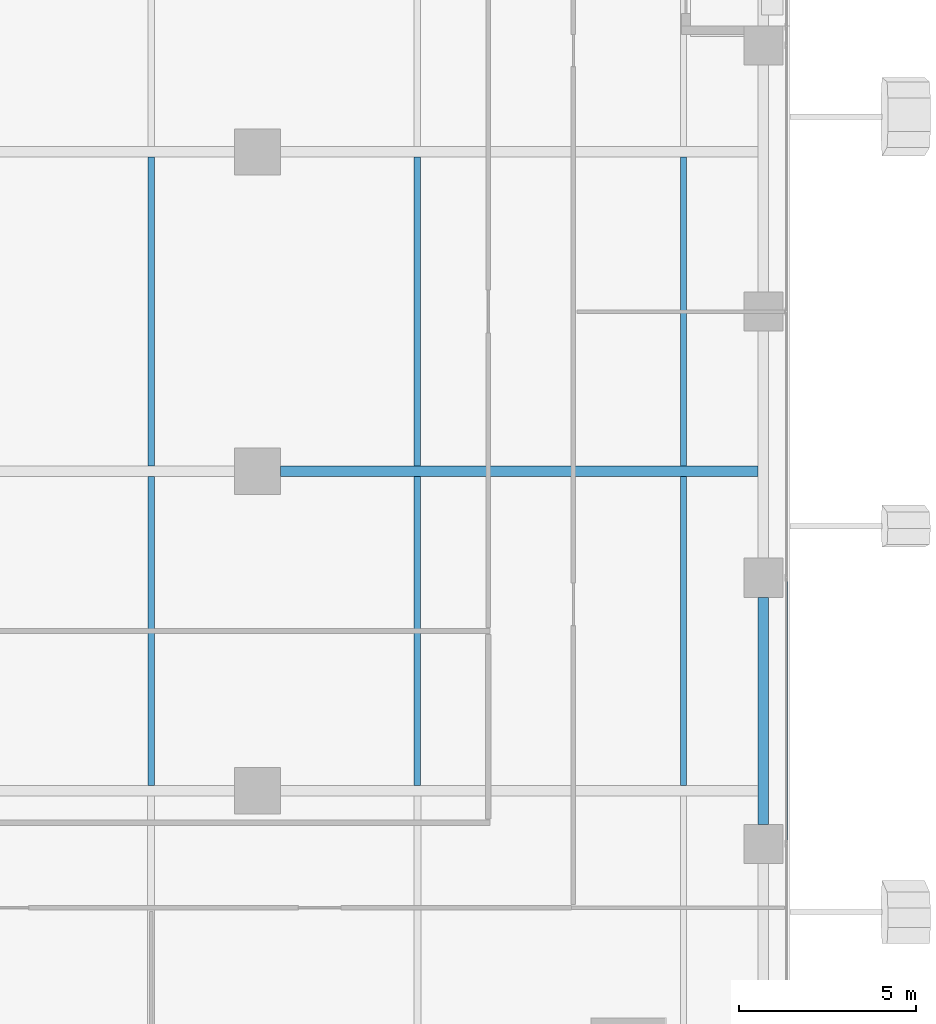
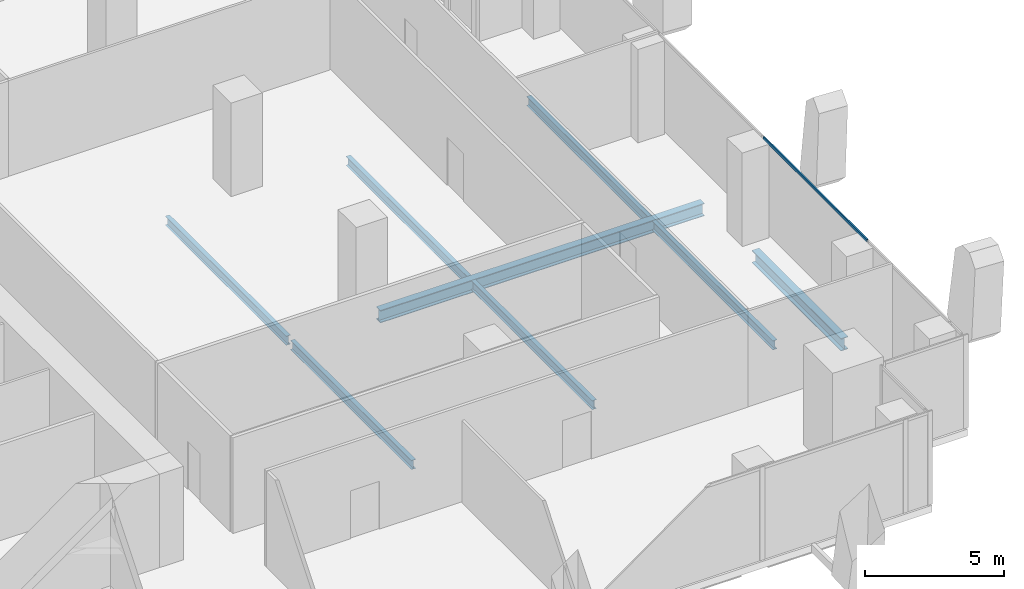
# One storey, part 12 of 35: 8 beams, 1 member, 1 element without a shape of its own.
"""IFC4 building model written with IfcOpenShell, lengths in metres."""

from ifc_helpers import new_model, si_unit, direction, frame, origin, origin_2d, place, context, subcontext, project, spatial, hollow_rectangle, i_section, extrude, source, transform, mapped, material, material_profile, profile_set, type_object, element, aggregate, save


model = new_model("IFC4")

# Units and contexts
model_context = context("Model", 3, precision=1e-05, world=origin(), true_north=direction((0.0, 1.0)))
body_context = subcontext(model_context, "Body", "Model", "MODEL_VIEW")
ifc_project = project(units=[si_unit("LENGTHUNIT", "METRE"), si_unit("AREAUNIT", "SQUARE_METRE"), si_unit("VOLUMEUNIT", "CUBIC_METRE"), si_unit("PLANEANGLEUNIT", "RADIAN"), si_unit("MASSUNIT", "GRAM", prefix="KILO")], contexts=[model_context])

# Site, building, storey
site_placement = place(None, origin())
site = spatial("IfcSite", under=ifc_project, at=site_placement, CompositionType="ELEMENT")
building_placement = place(site_placement, origin())
building = spatial("IfcBuilding", under=site, at=building_placement, Name="Khomas Fold Tower", CompositionType="ELEMENT")
storey_placement = place(building_placement, frame((0.0, 0.0, 136.699951171875)))
storey = spatial("IfcBuildingStorey", under=building, at=storey_placement, Name="L29", CompositionType="ELEMENT", Elevation=136.699951171875)

# Beams
ifc_material_1 = material(Name="Steel S355", Category="steel")
ifc_material_profile_1 = material_profile(ifc_material_1, i_section(OverallWidth=0.179931640625, OverallDepth=0.39990234375, WebThickness=0.008544921875, FlangeThickness=0.013427734375, at=origin_2d()), Name="IPE 400")
ifc_profile_set_1 = profile_set([ifc_material_profile_1], Name="Steel S355")
beam_type_1 = type_object("IfcBeamType", Name="IPE 400 beam JB3", PredefinedType="BEAM", material=ifc_profile_set_1)
shared_shape_1 = source(origin(), body_context, "Body", "SweptSolid", [
    extrude(i_section(OverallWidth=0.179931640625, OverallDepth=0.39990234375, WebThickness=0.008544921875, FlangeThickness=0.013427734375, at=origin_2d()), origin(), (0.0, 0.0, 1.0), 8.7001953125),
])
for number, where, z_axis, x_axis, name in (
    (1, (34.5, 13.64990234375, -0.5), (0.0, 1.0, 0.0), (-1.0, 0.0, 0.0), "JB3"),
    (2, (34.5, 22.64990234375, -0.5), (0.0, 1.0, 0.0), (-1.0, 0.0, 0.0), "JB3"),
    (3, (42.0, 13.64990234375, -0.5), (0.0, 1.0, 0.0), (-1.0, 0.0, 0.0), "JB3"),
    (4, (42.0, 22.64990234375, -0.5), (0.0, 1.0, 0.0), (-1.0, 0.0, 0.0), "JB3"),
    (5, (49.5, 13.64990234375, -0.5), (0.0, 1.0, 0.0), (-1.0, 0.0, 0.0), "JB3"),
    (6, (49.5, 22.64990234375, -0.5), (0.0, 1.0, 0.0), (-1.0, 0.0, 0.0), "JB3"),
):
    element("IfcBeam", number, at=place(storey_placement, frame(where, z_axis=z_axis, x_axis=x_axis)), inside=storey, type_object=beam_type_1, Name=name, PredefinedType="BEAM", context=body_context, shape_type="MappedRepresentation", body=[
        mapped(shared_shape_1, transform((0.0, 0.0, 0.0))),
    ])
ifc_material_2 = material(Name="Steel S355", Category="steel")
ifc_material_profile_2 = material_profile(ifc_material_2, i_section(OverallWidth=0.300048828125, OverallDepth=0.550048828125, WebThickness=0.014892578125, FlangeThickness=0.029052734375, at=origin_2d()), Name="HE 550 B")
ifc_profile_set_2 = profile_set([ifc_material_profile_2], Name="Steel S355")
beam_type_2 = type_object("IfcBeamType", Name="HE 550 B spandrel SB2", PredefinedType="SPANDREL", material=ifc_profile_set_2)
shared_shape_2 = source(origin(), body_context, "Body", "SweptSolid", [
    extrude(i_section(OverallWidth=0.300048828125, OverallDepth=0.550048828125, WebThickness=0.014892578125, FlangeThickness=0.029052734375, at=origin_2d()), origin(), (0.0, 0.0, 1.0), 6.39990234375),
])
beam_1_placement = place(storey_placement, frame((51.75, 12.550048828125, -0.574951171875), z_axis=(0.0, 1.0, 0.0), x_axis=(-1.0, 0.0, 0.0)))
element("IfcBeam", 7, at=beam_1_placement, inside=storey, type_object=beam_type_2, Name="SB2", PredefinedType="SPANDREL", context=body_context, shape_type="MappedRepresentation", body=[
    mapped(shared_shape_2, transform((0.0, 0.0, 0.0))),
])
ifc_material_3 = material(Name="Steel S355", Category="steel")
ifc_material_profile_3 = material_profile(ifc_material_3, i_section(OverallWidth=0.300048828125, OverallDepth=0.550048828125, WebThickness=0.014892578125, FlangeThickness=0.029052734375, at=origin_2d()), Name="HE 550 B")
ifc_profile_set_3 = profile_set([ifc_material_profile_3], Name="Steel S355")
beam_type_3 = type_object("IfcBeamType", Name="HE 550 B beam GB4", PredefinedType="BEAM", material=ifc_profile_set_3)
shared_shape_3 = source(origin(), body_context, "Body", "SweptSolid", [
    extrude(i_section(OverallWidth=0.300048828125, OverallDepth=0.550048828125, WebThickness=0.014892578125, FlangeThickness=0.029052734375, at=origin_2d()), origin(), (0.0, 0.0, 1.0), 13.4501953125),
])
beam_2_placement = place(storey_placement, frame((38.14990234375, 22.5, -0.574951171875), z_axis=(1.0, 0.0, 0.0), x_axis=(0.0, 1.0, 0.0)))
element("IfcBeam", 8, at=beam_2_placement, inside=storey, type_object=beam_type_3, Name="GB4", PredefinedType="BEAM", context=body_context, shape_type="MappedRepresentation", body=[
    mapped(shared_shape_3, transform((0.0, 0.0, 0.0))),
])

# Curtain wall, member
ifc_material_4 = material(Name="Aluminium framed double glazing", Category="aluminium")
curtain_wall_type = type_object("IfcCurtainWallType", Name="SK-Unitised clear-glass wall, growing floors CW1", PredefinedType="NOTDEFINED", material=ifc_material_4)
curtain_wall_placement = place(storey_placement, origin())
curtain_wall = element("IfcCurtainWall", 9, at=curtain_wall_placement, inside=storey, type_object=curtain_wall_type, Name="CW1 run L29 03-0", PredefinedType="NOTDEFINED")
ifc_material_5 = material(Name="Aluminium", Category="aluminium")
ifc_material_profile_4 = material_profile(ifc_material_5, hollow_rectangle(XDim=0.06005859375, YDim=0.1201171875, WallThickness=0.00390625, at=origin_2d()), Name="SK-Unitised clear-glass wall, growing floors transom CW1-T")
ifc_profile_set_4 = profile_set([ifc_material_profile_4], Name="Aluminium")
member_type = type_object("IfcMemberType", Name="SK-Unitised clear-glass wall, growing floors transom CW1-T", PredefinedType="USERDEFINED", material=ifc_profile_set_4)
shared_shape_4 = source(origin(), body_context, "Body", "SweptSolid", [
    extrude(hollow_rectangle(XDim=0.06005859375, YDim=0.1201171875, WallThickness=0.00390625, at=origin_2d()), origin(), (0.0, 0.0, 1.0), 7.43994140625),
])
member_placement = place(storey_placement, frame((52.39990234375, 12.030029296875, 4.0400390625), z_axis=(0.0, 1.0, 0.0), x_axis=(-1.0, 0.0, 0.0)))
member = element("IfcMember", 10, at=member_placement, type_object=member_type, Name="CW1 transom 3", ObjectType="TRANSOM", PredefinedType="USERDEFINED", context=body_context, shape_type="MappedRepresentation", body=[
    mapped(shared_shape_4, transform((0.0, 0.0, 0.0))),
])
aggregate(curtain_wall, [member])

save(model, "model.ifc")
